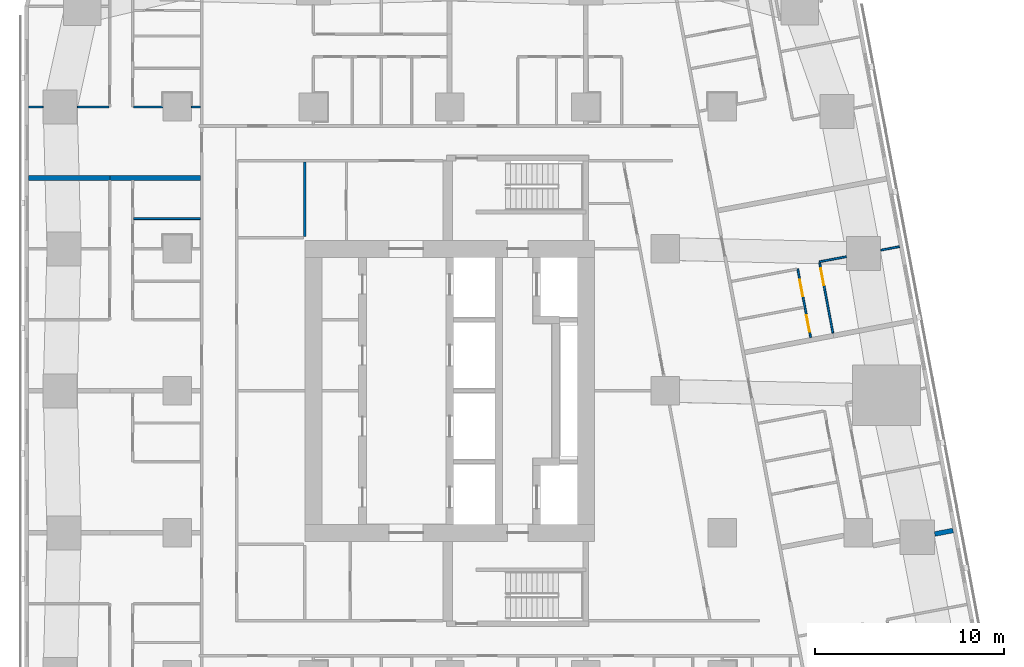
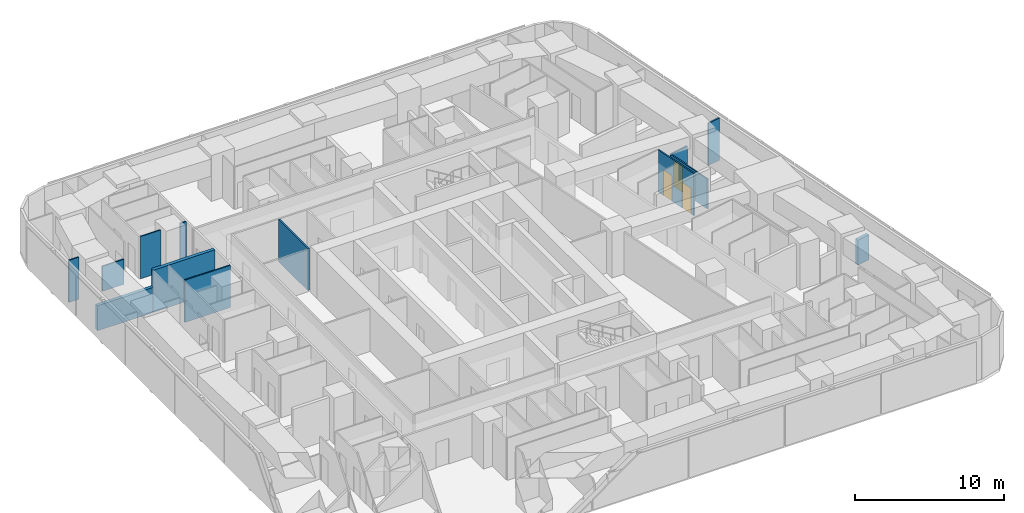
# One storey, part 8 of 15: 13 walls, 3 doors, 3 openings.
"""IFC4 building model written with IfcOpenShell, lengths in metres."""

from ifc_helpers import new_model, si_unit, direction, frame, frame_2d, origin, place, context, subcontext, project, spatial, rectangle, extrude, material, layer, layer_set, type_object, element, fill, save


model = new_model("IFC4")

# Units and contexts
model_context = context("Model", 3, precision=1e-05, world=origin(), true_north=direction((0.0, 1.0)))
body_context = subcontext(model_context, "Body", "Model", "MODEL_VIEW")
ifc_project = project(units=[si_unit("LENGTHUNIT", "METRE"), si_unit("AREAUNIT", "SQUARE_METRE"), si_unit("VOLUMEUNIT", "CUBIC_METRE"), si_unit("PLANEANGLEUNIT", "RADIAN"), si_unit("MASSUNIT", "GRAM", prefix="KILO")], contexts=[model_context])

# Site, building, storey
site_placement = place(None, origin())
site = spatial("IfcSite", under=ifc_project, at=site_placement, CompositionType="ELEMENT")
building_placement = place(site_placement, origin())
building = spatial("IfcBuilding", under=site, at=building_placement, Name="Sheger Commons Tower", CompositionType="ELEMENT")
storey_placement = place(building_placement, frame((0.0, 0.0, 184.550048828125)))
storey = spatial("IfcBuildingStorey", under=building, at=storey_placement, Name="L47", CompositionType="ELEMENT", Elevation=184.550048828125)

# Walls
ifc_material_1 = material(Name="Dense concrete block masonry, plastered both sides (separating wall between flats)", Category="masonry")
ifc_layer_1 = layer(ifc_material_1, 0.25)
ifc_layer_set_1 = layer_set([ifc_layer_1], Name="DEMISING WALL 250")
wall_type_1 = type_object("IfcWallType", Name="DEMISING WALL 250", PredefinedType="SOLIDWALL", material=ifc_layer_set_1)
wall_1_placement = place(storey_placement, frame((-0.64990234375, 33.75, 0.0), z_axis=(0.0, 0.0, 1.0), x_axis=(1.0, 0.0, 0.0)))
element("IfcWall", 1, at=wall_1_placement, inside=storey, type_object=wall_type_1, Name="Demising wall L47", PredefinedType="SOLIDWALL", context=body_context, shape_type="SweptSolid", body=[
    extrude(rectangle(XDim=4.2998046875, YDim=0.25, at=frame_2d((2.14990234375, 0.0))), origin(), (0.0, 0.0, 1.0), 2.050048828125),
])
wall_2_placement = place(storey_placement, frame((3.64990234375, 33.75, 0.0), z_axis=(0.0, 0.0, 1.0), x_axis=(1.0, 0.0, 0.0)))
element("IfcWall", 2, at=wall_2_placement, inside=storey, type_object=wall_type_1, Name="Demising wall L47", PredefinedType="SOLIDWALL", context=body_context, shape_type="SweptSolid", body=[
    extrude(rectangle(XDim=4.775146484375, YDim=0.25, at=frame_2d((2.3876953125, 0.0))), origin(), (0.0, 0.0, 1.0), 3.449951171875),
])
wall_3_placement = place(storey_placement, frame((48.2060546875, 15.1201171875, 0.0), z_axis=(0.0, 0.0, 1.0), x_axis=(-0.982576361834, -0.185859337043, 0.0)))
element("IfcWall", 3, at=wall_3_placement, inside=storey, type_object=wall_type_1, Name="Demising wall L47", PredefinedType="SOLIDWALL", context=body_context, shape_type="SweptSolid", body=[
    extrude(rectangle(XDim=0.985107421875, YDim=0.25, at=frame_2d((0.49267578125, 0.0))), origin(), (0.0, 0.0, 1.0), 2.050048828125),
])
ifc_material_2 = material(Name="Gypsum board on steel studs", Category="steel")
ifc_layer_2 = layer(ifc_material_2, 0.10009765625)
ifc_layer_set_2 = layer_set([ifc_layer_2], Name="PARTITION 100")
wall_type_2 = type_object("IfcWallType", Name="PARTITION 100", PredefinedType="PARTITIONING", material=ifc_layer_set_2)
wall_4_placement = place(storey_placement, frame((4.89990234375, 31.60009765625, 0.0), z_axis=(0.0, 0.0, 1.0), x_axis=(1.0, 0.0, 0.0)))
element("IfcWall", 4, at=wall_4_placement, inside=storey, type_object=wall_type_2, Name="Partition L47", PredefinedType="PARTITIONING", context=body_context, shape_type="SweptSolid", body=[
    extrude(rectangle(XDim=3.525146484375, YDim=0.10009765625, at=frame_2d((1.7626953125, 0.0))), origin(), (0.0, 0.0, 1.0), 3.449951171875),
])
wall_5_placement = place(storey_placement, frame((-0.64990234375, 37.5, 0.0), z_axis=(0.0, 0.0, 1.0), x_axis=(1.0, 0.0, 0.0)))
element("IfcWall", 5, at=wall_5_placement, inside=storey, type_object=wall_type_2, Name="Partition L47", PredefinedType="PARTITIONING", context=body_context, shape_type="SweptSolid", body=[
    extrude(rectangle(XDim=0.77392578125, YDim=0.10009765625, at=frame_2d((0.386962890625, 0.0))), origin(), (0.0, 0.0, 1.0), 3.449951171875),
])
wall_6_placement = place(storey_placement, frame((1.926025390625, 37.5, 0.0), z_axis=(0.0, 0.0, 1.0), x_axis=(1.0, 0.0, 0.0)))
element("IfcWall", 6, at=wall_6_placement, inside=storey, type_object=wall_type_2, Name="Partition L47", PredefinedType="PARTITIONING", context=body_context, shape_type="SweptSolid", body=[
    extrude(rectangle(XDim=1.674072265625, YDim=0.10009765625, at=frame_2d((0.8369140625, 0.0))), origin(), (0.0, 0.0, 1.0), 2.050048828125),
])
wall_7_placement = place(storey_placement, frame((4.89990234375, 37.5, 0.0), z_axis=(0.0, 0.0, 1.0), x_axis=(1.0, 0.0, 0.0)))
element("IfcWall", 7, at=wall_7_placement, inside=storey, type_object=wall_type_2, Name="Partition L47", PredefinedType="PARTITIONING", context=body_context, shape_type="SweptSolid", body=[
    extrude(rectangle(XDim=1.549072265625, YDim=0.10009765625, at=frame_2d((0.7744140625, 0.0))), origin(), (0.0, 0.0, 1.0), 3.449951171875),
])
wall_8_placement = place(storey_placement, frame((7.950927734375, 37.5, 0.0), z_axis=(0.0, 0.0, 1.0), x_axis=(1.0, 0.0, 0.0)))
element("IfcWall", 8, at=wall_8_placement, inside=storey, type_object=wall_type_2, Name="Partition L47", PredefinedType="PARTITIONING", context=body_context, shape_type="SweptSolid", body=[
    extrude(rectangle(XDim=0.47412109375, YDim=0.10009765625, at=frame_2d((0.237060546875, 0.0))), origin(), (0.0, 0.0, 1.0), 3.449951171875),
])

# Wall, opening, door
wall_9_placement = place(storey_placement, frame((41.156005859375, 29.27294921875, 0.0), z_axis=(0.0, 0.0, 1.0), x_axis=(0.185474762472, -0.982649028131, 0.0)))
wall_9 = element("IfcWall", 9, at=wall_9_placement, inside=storey, type_object=wall_type_2, Name="Partition L47", PredefinedType="PARTITIONING", context=body_context, shape_type="SweptSolid", body=[
    extrude(rectangle(XDim=3.78955078125, YDim=0.10009765625, at=frame_2d((1.894775390625, 0.0))), origin(), (0.0, 0.0, 1.0), 2.449951171875),
])
opening_1_placement = place(wall_9_placement, frame((0.31005859375, 0.0, 0.0)))
opening_1 = element("IfcOpeningElement", 10, at=opening_1_placement, cuts=wall_9, Name="Opening D2", PredefinedType="OPENING", context=body_context, shape_type="SweptSolid", body=[
    extrude(rectangle(XDim=0.89990234375, YDim=2.10009765625, at=frame_2d((0.449951171875, 1.050048828125))), frame((0.0, 0.06005859375, 0.0), z_axis=(0.0, -1.0, 0.0), x_axis=(1.0, 0.0, 0.0)), (0.0, 0.0, 1.0), 0.1201171875),
])
ifc_material_3 = material(Name="Timber door set", Category="wood")
door_type = type_object("IfcDoorType", Name="INTERNAL DOOR 900x2100", OperationType="NOTDEFINED", PredefinedType="DOOR", material=ifc_material_3)
door_1_placement = place(opening_1_placement, origin())
door_1 = element("IfcDoor", 11, at=door_1_placement, inside=storey, type_object=door_type, Name="Main bedroom door", OperationType="SINGLE_SWING_LEFT", OverallHeight=2.10009765625, OverallWidth=0.89990234375, PredefinedType="DOOR", context=body_context, shape_type="SweptSolid", body=[
    extrude(rectangle(XDim=0.89990234375, YDim=2.10009765625, at=frame_2d((0.449951171875, 1.050048828125))), frame((0.0, 0.02490234375, 0.0), z_axis=(0.0, -1.0, 0.0), x_axis=(1.0, 0.0, 0.0)), (0.0, 0.0, 1.0), 0.050048828125),
])
fill(opening_1, door_1)

# Wall, openings, doors
wall_10_placement = place(storey_placement, frame((39.9970703125, 28.94189453125, 0.0), z_axis=(0.0, 0.0, 1.0), x_axis=(0.185580474845, -0.982629069057, 0.0)))
wall_10 = element("IfcWall", 12, at=wall_10_placement, inside=storey, type_object=wall_type_2, Name="Partition L47", PredefinedType="PARTITIONING", context=body_context, shape_type="SweptSolid", body=[
    extrude(rectangle(XDim=3.684814453125, YDim=0.10009765625, at=frame_2d((1.84228515625, 0.0))), origin(), (0.0, 0.0, 1.0), 3.449951171875),
])
opening_2_placement = place(wall_10_placement, frame((0.575927734375, 0.0, 0.0)))
opening_2 = element("IfcOpeningElement", 13, at=opening_2_placement, cuts=wall_10, Name="Opening D2", PredefinedType="OPENING", context=body_context, shape_type="SweptSolid", body=[
    extrude(rectangle(XDim=0.89990234375, YDim=2.10009765625, at=frame_2d((0.449951171875, 1.050048828125))), frame((0.0, 0.06005859375, 0.0), z_axis=(0.0, -1.0, 0.0), x_axis=(1.0, 0.0, 0.0)), (0.0, 0.0, 1.0), 0.1201171875),
])
opening_3_placement = place(wall_10_placement, frame((2.48291015625, 0.0, 0.0)))
opening_3 = element("IfcOpeningElement", 14, at=opening_3_placement, cuts=wall_10, Name="Opening D2", PredefinedType="OPENING", context=body_context, shape_type="SweptSolid", body=[
    extrude(rectangle(XDim=0.89990234375, YDim=2.10009765625, at=frame_2d((0.449951171875, 1.050048828125))), frame((0.0, 0.06005859375, 0.0), z_axis=(0.0, -1.0, 0.0), x_axis=(1.0, 0.0, 0.0)), (0.0, 0.0, 1.0), 0.1201171875),
])
door_2_placement = place(opening_2_placement, origin())
door_2 = element("IfcDoor", 15, at=door_2_placement, inside=storey, type_object=door_type, Name="Bathroom door", OperationType="SINGLE_SWING_RIGHT", OverallHeight=2.10009765625, OverallWidth=0.89990234375, PredefinedType="DOOR", context=body_context, shape_type="SweptSolid", body=[
    extrude(rectangle(XDim=0.89990234375, YDim=2.10009765625, at=frame_2d((0.449951171875, 1.050048828125))), frame((0.0, 0.02490234375, 0.0), z_axis=(0.0, -1.0, 0.0), x_axis=(1.0, 0.0, 0.0)), (0.0, 0.0, 1.0), 0.050048828125),
])
fill(opening_2, door_2)
door_3_placement = place(opening_3_placement, origin())
door_3 = element("IfcDoor", 16, at=door_3_placement, inside=storey, type_object=door_type, Name="Store door", OperationType="SINGLE_SWING_LEFT", OverallHeight=2.10009765625, OverallWidth=0.89990234375, PredefinedType="DOOR", context=body_context, shape_type="SweptSolid", body=[
    extrude(rectangle(XDim=0.89990234375, YDim=2.10009765625, at=frame_2d((0.449951171875, 1.050048828125))), frame((0.0, 0.02490234375, 0.0), z_axis=(0.0, -1.0, 0.0), x_axis=(1.0, 0.0, 0.0)), (0.0, 0.0, 1.0), 0.050048828125),
])
fill(opening_3, door_3)

# Walls
wall_11_placement = place(storey_placement, frame((45.3720703125, 30.12109375, 0.0), z_axis=(0.0, 0.0, 1.0), x_axis=(-0.982530437059, -0.186101961978, 0.0)))
element("IfcWall", 17, at=wall_11_placement, inside=storey, type_object=wall_type_2, Name="Partition L47", PredefinedType="PARTITIONING", context=body_context, shape_type="SweptSolid", body=[
    extrude(rectangle(XDim=0.999755859375, YDim=0.10009765625, at=frame_2d((0.5, 0.0))), origin(), (0.0, 0.0, 1.0), 3.449951171875),
])
wall_12_placement = place(storey_placement, frame((42.570068359375, 29.591064453125, 0.0), z_axis=(0.0, 0.0, 1.0), x_axis=(-0.98259436979, -0.185764109712, 0.0)))
element("IfcWall", 18, at=wall_12_placement, inside=storey, type_object=wall_type_2, Name="Partition L47", PredefinedType="PARTITIONING", context=body_context, shape_type="SweptSolid", body=[
    extrude(rectangle(XDim=1.4482421875, YDim=0.10009765625, at=frame_2d((0.72412109375, 0.0))), origin(), (0.0, 0.0, 1.0), 2.449951171875),
])
ifc_material_4 = material(Name="Gypsum board on steel studs, two layers each side, fire rated", Category="steel")
ifc_layer_3 = layer(ifc_material_4, 0.125)
ifc_layer_set_3 = layer_set([ifc_layer_3], Name="SERVICE WALL 125")
wall_type_3 = type_object("IfcWallType", Name="SERVICE WALL 125", PredefinedType="PARTITIONING", material=ifc_layer_set_3)
wall_13_placement = place(storey_placement, frame((13.949951171875, 30.6630859375, 0.0), z_axis=(0.0, 0.0, 1.0), x_axis=(0.0, 1.0, 0.0)))
element("IfcWall", 19, at=wall_13_placement, inside=storey, type_object=wall_type_3, Name="Service room wall L47", PredefinedType="PARTITIONING", context=body_context, shape_type="SweptSolid", body=[
    extrude(rectangle(XDim=3.923828125, YDim=0.125, at=frame_2d((1.9619140625, 0.0))), origin(), (0.0, 0.0, 1.0), 3.449951171875),
])

save(model, "model.ifc")
